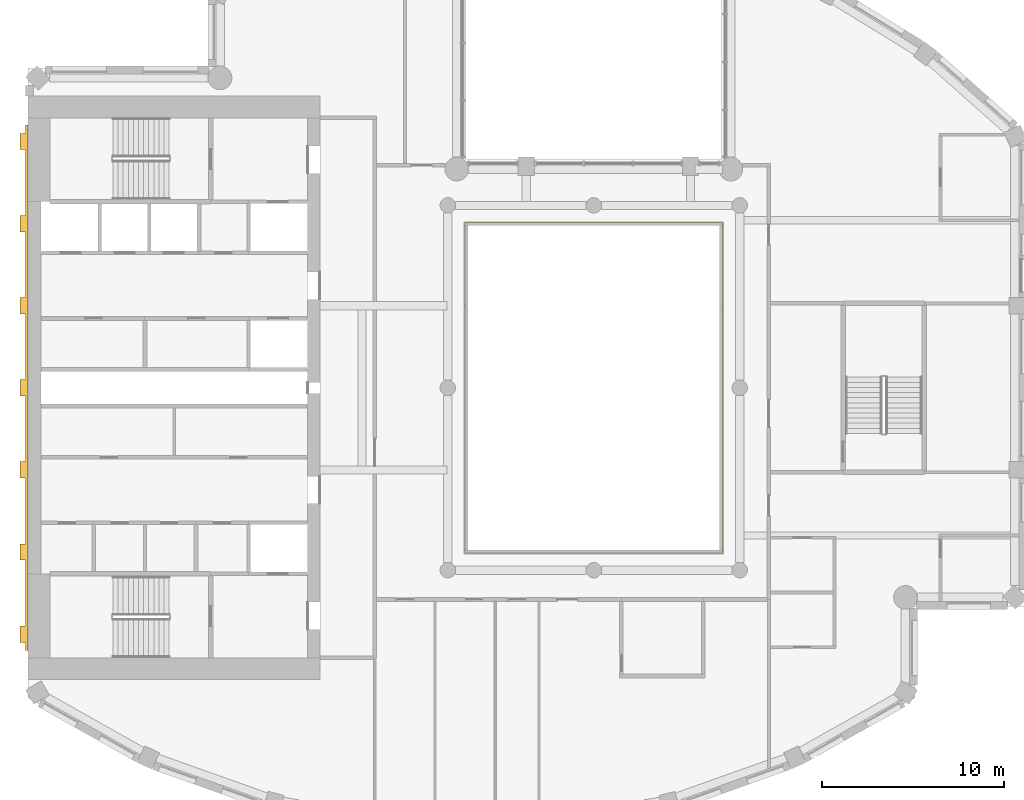
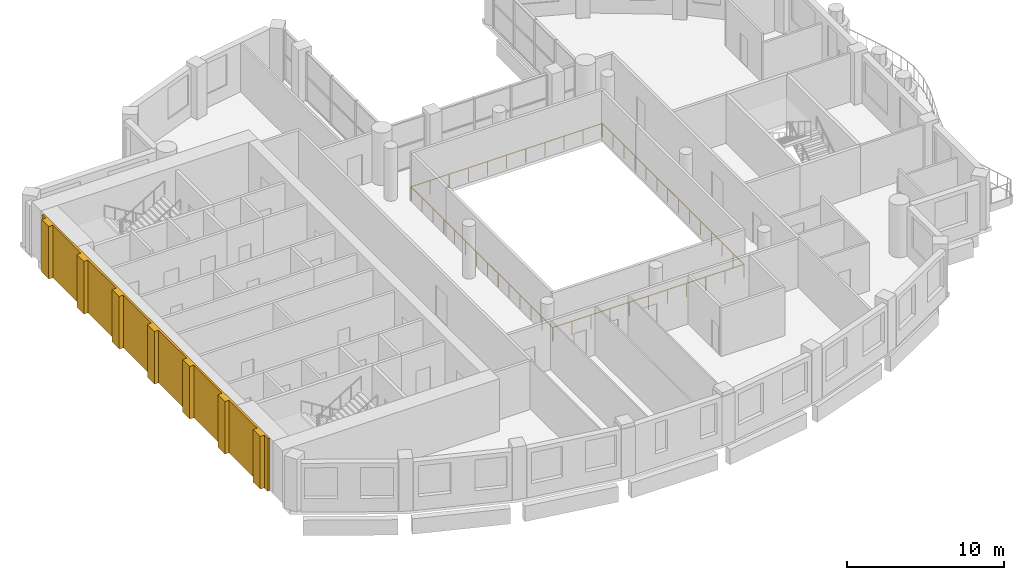
# One storey, part 11 of 14: 1 covering, 1 railing.
"""IFC4 building model written with IfcOpenShell, lengths in metres."""

import ifcopenshell
import ifcopenshell.guid

model = None  # the IFC model being written
_history = None  # IfcOwnerHistory: only IFC2X3 demands one
_inside = {}  # id of a spatial element -> (the spatial element, [elements in it])
_under = {}  # id of a project, library or spatial element -> (it, [spatial elements below it])
_declared = {}  # id of a project -> (the project, [libraries it declares])
_typed = {}  # id of a type object -> (the type object, [elements of that type])
_made_of = {}  # id of a material, layer set ... -> (it, [elements and type objects made of it])


def new_model(schema):
    """Start an empty IFC model of exactly this schema.

    Asked for "IFC4X3", IfcOpenShell would pick the latest addendum, in which some entities
    have other attributes; the version numbers below select the first issue.
    IFC2X3 requires an IfcOwnerHistory on every rooted entity: one is made here for all.
    """
    global model, _history
    if schema == "IFC4X3":
        model = ifcopenshell.file(schema_version=(4, 3, 0, 0))
    else:
        model = ifcopenshell.file(schema=schema)
    _inside.clear()
    _under.clear()
    _declared.clear()
    _typed.clear()
    _made_of.clear()
    _history = None
    if model.schema == "IFC2X3":
        org = make("IfcOrganization", Name="unknown")
        user = make(
            "IfcPersonAndOrganization",
            ThePerson=make("IfcPerson", FamilyName="unknown"),
            TheOrganization=org,
        )
        app = make(
            "IfcApplication",
            ApplicationDeveloper=org,
            Version="unknown",
            ApplicationFullName="unknown",
            ApplicationIdentifier="unknown",
        )
        _history = make(
            "IfcOwnerHistory",
            OwningUser=user,
            OwningApplication=app,
            ChangeAction="ADDED",
            CreationDate=0,
        )
    return model


def make(cls, **values):
    """One entity of the class cls with the attributes given. An attribute that is None is left unset."""
    return model.create_entity(
        cls, **{name: value for name, value in values.items() if value is not None}
    )


def rooted(cls, **values):
    """An entity with a GlobalId (a new one), such as an element, a storey or a relation."""
    return make(cls, GlobalId=ifcopenshell.guid.new(), OwnerHistory=_history, **values)


def si_unit(unit_type, name, prefix=None):
    """IfcSIUnit, for example si_unit("LENGTHUNIT", "METRE", prefix="MILLI")."""
    return make("IfcSIUnit", UnitType=unit_type, Prefix=prefix, Name=name)


def assignment(units):
    """IfcUnitAssignment: the units of a project."""
    return None if units is None else make("IfcUnitAssignment", Units=units)


def point(xyz):
    """IfcCartesianPoint."""
    return None if xyz is None else make("IfcCartesianPoint", Coordinates=xyz)


def direction(xyz):
    """IfcDirection."""
    return None if xyz is None else make("IfcDirection", DirectionRatios=xyz)


def frame(location, z_axis=None, x_axis=None):
    """IfcAxis2Placement3D, a coordinate frame: its origin and axes. An axis left out is left unset."""
    return make(
        "IfcAxis2Placement3D",
        Location=point(location),
        Axis=direction(z_axis),
        RefDirection=direction(x_axis),
    )


def frame_2d(location, x_axis=None):
    """IfcAxis2Placement2D, a coordinate frame in the plane: its origin and x axis."""
    return make(
        "IfcAxis2Placement2D", Location=point(location), RefDirection=direction(x_axis)
    )


def origin():
    """The frame at (0, 0, 0) with its axes left unset."""
    return frame((0.0, 0.0, 0.0))


def origin_2d():
    """The frame at (0, 0) in the plane with its x axis left unset."""
    return frame_2d((0.0, 0.0))


def place(relative_to, where):
    """IfcLocalPlacement: puts the frame where relative to a parent placement (None: the world)."""
    return make(
        "IfcLocalPlacement", PlacementRelTo=relative_to, RelativePlacement=where
    )


def context(
    kind, dimensions, precision=None, world=None, true_north=None, identifier=None
):
    """IfcGeometricRepresentationContext, for example the 3D "Model" context."""
    return make(
        "IfcGeometricRepresentationContext",
        ContextIdentifier=identifier,
        ContextType=kind,
        CoordinateSpaceDimension=dimensions,
        Precision=precision,
        WorldCoordinateSystem=world,
        TrueNorth=true_north,
    )


def subcontext(parent, identifier, kind, view, scale=None):
    """IfcGeometricRepresentationSubContext, for example "Body" below "Model"."""
    return make(
        "IfcGeometricRepresentationSubContext",
        ContextIdentifier=identifier,
        ContextType=kind,
        ParentContext=parent,
        TargetScale=scale,
        TargetView=view,
    )


def project(units=None, contexts=None):
    """IfcProject with its units and contexts."""
    return rooted(
        "IfcProject",
        Name="project",
        RepresentationContexts=contexts,
        UnitsInContext=assignment(units),
    )


def spatial(cls, under=None, at=None, **own):
    """A site, building, storey or space (cls), placed at a placement, below another one or the project."""
    s = rooted(cls, ObjectPlacement=at, **own)
    if under is not None:
        _under.setdefault(under.id(), (under, []))[1].append(s)
    return s


def polyline(points):
    """IfcPolyline through the points."""
    return make("IfcPolyline", Points=[point(p) for p in points])


def profile(cls, at=None, kind="AREA", **sizes):
    """A parametric profile (cls). Its sizes go by their IFC names, for example OverallWidth=200.0."""
    return make(cls, ProfileType=kind, Position=at, **sizes)


def rectangle(**sizes):
    """IfcRectangleProfileDef."""
    return profile("IfcRectangleProfileDef", **sizes)


def outline(outer, holes=None, kind="AREA"):
    """IfcArbitraryClosedProfileDef: a profile drawn as a closed curve; with holes, ...WithVoids."""
    if holes is None:
        return make("IfcArbitraryClosedProfileDef", ProfileType=kind, OuterCurve=outer)
    return make(
        "IfcArbitraryProfileDefWithVoids",
        ProfileType=kind,
        OuterCurve=outer,
        InnerCurves=holes,
    )


def extrude(swept, where, along, depth):
    """IfcExtrudedAreaSolid: the profile swept, set in the frame where, extruded along a direction by depth."""
    return make(
        "IfcExtrudedAreaSolid",
        SweptArea=swept,
        Position=where,
        ExtrudedDirection=direction(along),
        Depth=depth,
    )


def shape(context_of_items, identifier, shape_type, items):
    """IfcShapeRepresentation: the items that make up one representation, for example the "Body"."""
    return make(
        "IfcShapeRepresentation",
        ContextOfItems=context_of_items,
        RepresentationIdentifier=identifier,
        RepresentationType=shape_type,
        Items=items,
    )


def material(Name=None, Category=None):
    """IfcMaterial."""
    return make("IfcMaterial", Name=Name, Category=Category)


def layer(
    of_material, thickness, ventilated=None, Name=None, Category=None, Priority=None
):
    """IfcMaterialLayer: one layer of a wall or slab, of a material (None: an air gap)."""
    return make(
        "IfcMaterialLayer",
        Material=of_material,
        LayerThickness=thickness,
        IsVentilated=ventilated,
        Name=Name,
        Category=Category,
        Priority=Priority,
    )


def layer_set(layers, Name=None):
    """IfcMaterialLayerSet."""
    return make("IfcMaterialLayerSet", MaterialLayers=layers, LayerSetName=Name)


def made_of(thing, what):
    """Note that an element or type object is made of a material, layer set ...; save() writes the relation."""
    if what is not None:
        _made_of.setdefault(what.id(), (what, []))[1].append(thing)
    return thing


def type_object(cls, material=None, **own):
    """A type object (cls), such as IfcWallType, which elements share."""
    return made_of(rooted(cls, **own), material)


def element(
    cls,
    number,
    at=None,
    inside=None,
    cuts=None,
    type_object=None,
    material=None,
    context=None,
    identifier="Body",
    shape_type=None,
    held_by="IfcProductDefinitionShape",
    body=None,
    shapes=None,
    **own,
):
    """One element of the class cls, such as IfcWall. Its Tag is "e" and its number.

    at: its placement. inside: the storey or other place that contains it. cuts: it is an
    opening in that element (IfcRelVoidsElement). A single representation is given by context,
    identifier, shape_type and body (its items); several are given by shapes. held_by: the class
    of the entity that holds the representations. save() writes the other relations.
    """
    e = rooted(cls, Tag="e%d" % number, ObjectPlacement=at, **own)
    if body is not None:
        shapes = [shape(context, identifier, shape_type, body)]
    if shapes is not None:
        e.Representation = make(held_by, Representations=shapes)
    if inside is not None:
        _inside.setdefault(inside.id(), (inside, []))[1].append(e)
    if cuts is not None:
        rooted(
            "IfcRelVoidsElement", RelatingBuildingElement=cuts, RelatedOpeningElement=e
        )
    if type_object is not None:
        _typed.setdefault(type_object.id(), (type_object, []))[1].append(e)
    return made_of(e, material)


def aggregate(whole, parts):
    """IfcRelAggregates: a whole, such as a stair, and the parts it consists of."""
    return rooted("IfcRelAggregates", RelatingObject=whole, RelatedObjects=parts)


def save(model, path):
    """Write the relations noted so far, then the file.

    IfcRelAggregates (storeys below a building ...), IfcRelContainedInSpatialStructure (elements
    in a storey), IfcRelDefinesByType, IfcRelAssociatesMaterial and IfcRelDeclares: one each for
    every whole, place, type object, material and project.
    """
    for whole, parts in _under.values():
        aggregate(whole, parts)
    for where, things in _inside.values():
        rooted(
            "IfcRelContainedInSpatialStructure",
            RelatedElements=things,
            RelatingStructure=where,
        )
    for kind, things in _typed.values():
        rooted("IfcRelDefinesByType", RelatedObjects=things, RelatingType=kind)
    for what, things in _made_of.values():
        rooted("IfcRelAssociatesMaterial", RelatedObjects=things, RelatingMaterial=what)
    for by, libraries in _declared.values():
        rooted("IfcRelDeclares", RelatingContext=by, RelatedDefinitions=libraries)
    model.write(path)


model = new_model("IFC4")

# Units and contexts
model_context = context("Model", 3, precision=1e-05, world=origin(), true_north=direction((0.0, 1.0)))
body_context = subcontext(model_context, "Body", "Model", "MODEL_VIEW")
ifc_project = project(units=[si_unit("LENGTHUNIT", "METRE"), si_unit("AREAUNIT", "SQUARE_METRE"), si_unit("VOLUMEUNIT", "CUBIC_METRE"), si_unit("PLANEANGLEUNIT", "RADIAN"), si_unit("MASSUNIT", "GRAM", prefix="KILO")], contexts=[model_context])

# Site, building, storey
site_placement = place(None, origin())
site = spatial("IfcSite", under=ifc_project, at=site_placement, CompositionType="ELEMENT")
building_placement = place(site_placement, origin())
building = spatial("IfcBuilding", under=site, at=building_placement, Name="Cypress Arch Tower", CompositionType="ELEMENT")
storey_placement = place(building_placement, frame((0.0, 0.0, 300.800048828125)))
storey = spatial("IfcBuildingStorey", under=building, at=storey_placement, Name="L68", CompositionType="ELEMENT", Elevation=300.800048828125)

# Railing
ifc_material_1 = material(Name="Stainless steel posts and handrail, laminated glass infill", Category="steel")
railing_type = type_object("IfcRailingType", Name="Atrium guard GR1100A", PredefinedType="GUARDRAIL", material=ifc_material_1)
railing_placement = place(storey_placement, frame((8.050048828125, -9.050048828125, 0.0)))
element("IfcRailing", 1, at=railing_placement, inside=storey, type_object=railing_type, Name="Atrium guard L68", PredefinedType="GUARDRAIL", context=body_context, shape_type="SweptSolid", body=[
    extrude(rectangle(XDim=0.050048828125, YDim=0.050048828125, at=origin_2d()), frame((0.0, 0.0, 1.0751953125), z_axis=(-1.0, 0.0, 0.0), x_axis=(0.0, -1.0, 0.0)), (0.0, 0.0, 1.0), 14.10009765625),
    extrude(rectangle(XDim=0.050048828125, YDim=0.050048828125, at=origin_2d()), frame((-14.10009765625, 0.0, 1.0751953125), z_axis=(0.0, 1.0, 0.0), x_axis=(-1.0, 0.0, 0.0)), (0.0, 0.0, 1.0), 18.10009765625),
    extrude(rectangle(XDim=0.050048828125, YDim=0.050048828125, at=origin_2d()), frame((-14.10009765625, 18.10009765625, 1.0751953125), z_axis=(1.0, 0.0, 0.0), x_axis=(0.0, 1.0, 0.0)), (0.0, 0.0, 1.0), 14.10009765625),
    extrude(rectangle(XDim=0.050048828125, YDim=0.050048828125, at=origin_2d()), frame((0.0, 18.10009765625, 1.0751953125), z_axis=(0.0, -1.0, 0.0), x_axis=(1.0, 0.0, 0.0)), (0.0, 0.0, 1.0), 18.10009765625),
    extrude(rectangle(XDim=0.050048828125, YDim=0.050048828125, at=origin_2d()), origin(), (0.0, 0.0, 1.0), 1.050048828125),
    extrude(rectangle(XDim=0.050048828125, YDim=0.050048828125, at=origin_2d()), frame((-1.409912109375, 0.0, 0.0)), (0.0, 0.0, 1.0), 1.050048828125),
    extrude(rectangle(XDim=0.050048828125, YDim=0.050048828125, at=origin_2d()), frame((-2.820068359375, 0.0, 0.0)), (0.0, 0.0, 1.0), 1.050048828125),
    extrude(rectangle(XDim=0.050048828125, YDim=0.050048828125, at=origin_2d()), frame((-4.22998046875, 0.0, 0.0)), (0.0, 0.0, 1.0), 1.050048828125),
    extrude(rectangle(XDim=0.050048828125, YDim=0.050048828125, at=origin_2d()), frame((-5.64013671875, 0.0, 0.0)), (0.0, 0.0, 1.0), 1.050048828125),
    extrude(rectangle(XDim=0.050048828125, YDim=0.050048828125, at=origin_2d()), frame((-7.050048828125, 0.0, 0.0)), (0.0, 0.0, 1.0), 1.050048828125),
    extrude(rectangle(XDim=0.050048828125, YDim=0.050048828125, at=origin_2d()), frame((-8.4599609375, 0.0, 0.0)), (0.0, 0.0, 1.0), 1.050048828125),
    extrude(rectangle(XDim=0.050048828125, YDim=0.050048828125, at=origin_2d()), frame((-9.8701171875, 0.0, 0.0)), (0.0, 0.0, 1.0), 1.050048828125),
    extrude(rectangle(XDim=0.050048828125, YDim=0.050048828125, at=origin_2d()), frame((-11.280029296875, 0.0, 0.0)), (0.0, 0.0, 1.0), 1.050048828125),
    extrude(rectangle(XDim=0.050048828125, YDim=0.050048828125, at=origin_2d()), frame((-12.690185546875, 0.0, 0.0)), (0.0, 0.0, 1.0), 1.050048828125),
    extrude(rectangle(XDim=0.050048828125, YDim=0.050048828125, at=origin_2d()), frame((-14.10009765625, 0.0, 0.0)), (0.0, 0.0, 1.0), 1.050048828125),
    extrude(rectangle(XDim=0.050048828125, YDim=0.050048828125, at=origin_2d()), frame((-14.10009765625, 1.392333984375, 0.0)), (0.0, 0.0, 1.0), 1.050048828125),
    extrude(rectangle(XDim=0.050048828125, YDim=0.050048828125, at=origin_2d()), frame((-14.10009765625, 2.78466796875, 0.0)), (0.0, 0.0, 1.0), 1.050048828125),
    extrude(rectangle(XDim=0.050048828125, YDim=0.050048828125, at=origin_2d()), frame((-14.10009765625, 4.177001953125, 0.0)), (0.0, 0.0, 1.0), 1.050048828125),
    extrude(rectangle(XDim=0.050048828125, YDim=0.050048828125, at=origin_2d()), frame((-14.10009765625, 5.5693359375, 0.0)), (0.0, 0.0, 1.0), 1.050048828125),
    extrude(rectangle(XDim=0.050048828125, YDim=0.050048828125, at=origin_2d()), frame((-14.10009765625, 6.961669921875, 0.0)), (0.0, 0.0, 1.0), 1.050048828125),
    extrude(rectangle(XDim=0.050048828125, YDim=0.050048828125, at=origin_2d()), frame((-14.10009765625, 8.35400390625, 0.0)), (0.0, 0.0, 1.0), 1.050048828125),
    extrude(rectangle(XDim=0.050048828125, YDim=0.050048828125, at=origin_2d()), frame((-14.10009765625, 9.74609375, 0.0)), (0.0, 0.0, 1.0), 1.050048828125),
    extrude(rectangle(XDim=0.050048828125, YDim=0.050048828125, at=origin_2d()), frame((-14.10009765625, 11.138427734375, 0.0)), (0.0, 0.0, 1.0), 1.050048828125),
    extrude(rectangle(XDim=0.050048828125, YDim=0.050048828125, at=origin_2d()), frame((-14.10009765625, 12.53076171875, 0.0)), (0.0, 0.0, 1.0), 1.050048828125),
    extrude(rectangle(XDim=0.050048828125, YDim=0.050048828125, at=origin_2d()), frame((-14.10009765625, 13.923095703125, 0.0)), (0.0, 0.0, 1.0), 1.050048828125),
    extrude(rectangle(XDim=0.050048828125, YDim=0.050048828125, at=origin_2d()), frame((-14.10009765625, 15.3154296875, 0.0)), (0.0, 0.0, 1.0), 1.050048828125),
    extrude(rectangle(XDim=0.050048828125, YDim=0.050048828125, at=origin_2d()), frame((-14.10009765625, 16.707763671875, 0.0)), (0.0, 0.0, 1.0), 1.050048828125),
    extrude(rectangle(XDim=0.050048828125, YDim=0.050048828125, at=origin_2d()), frame((-14.10009765625, 18.10009765625, 0.0)), (0.0, 0.0, 1.0), 1.050048828125),
    extrude(rectangle(XDim=0.050048828125, YDim=0.050048828125, at=origin_2d()), frame((-12.690185546875, 18.10009765625, 0.0)), (0.0, 0.0, 1.0), 1.050048828125),
    extrude(rectangle(XDim=0.050048828125, YDim=0.050048828125, at=origin_2d()), frame((-11.280029296875, 18.10009765625, 0.0)), (0.0, 0.0, 1.0), 1.050048828125),
    extrude(rectangle(XDim=0.050048828125, YDim=0.050048828125, at=origin_2d()), frame((-9.8701171875, 18.10009765625, 0.0)), (0.0, 0.0, 1.0), 1.050048828125),
    extrude(rectangle(XDim=0.050048828125, YDim=0.050048828125, at=origin_2d()), frame((-8.4599609375, 18.10009765625, 0.0)), (0.0, 0.0, 1.0), 1.050048828125),
    extrude(rectangle(XDim=0.050048828125, YDim=0.050048828125, at=origin_2d()), frame((-7.050048828125, 18.10009765625, 0.0)), (0.0, 0.0, 1.0), 1.050048828125),
    extrude(rectangle(XDim=0.050048828125, YDim=0.050048828125, at=origin_2d()), frame((-5.64013671875, 18.10009765625, 0.0)), (0.0, 0.0, 1.0), 1.050048828125),
    extrude(rectangle(XDim=0.050048828125, YDim=0.050048828125, at=origin_2d()), frame((-4.22998046875, 18.10009765625, 0.0)), (0.0, 0.0, 1.0), 1.050048828125),
    extrude(rectangle(XDim=0.050048828125, YDim=0.050048828125, at=origin_2d()), frame((-2.820068359375, 18.10009765625, 0.0)), (0.0, 0.0, 1.0), 1.050048828125),
    extrude(rectangle(XDim=0.050048828125, YDim=0.050048828125, at=origin_2d()), frame((-1.409912109375, 18.10009765625, 0.0)), (0.0, 0.0, 1.0), 1.050048828125),
    extrude(rectangle(XDim=0.050048828125, YDim=0.050048828125, at=origin_2d()), frame((0.0, 18.10009765625, 0.0)), (0.0, 0.0, 1.0), 1.050048828125),
    extrude(rectangle(XDim=0.050048828125, YDim=0.050048828125, at=origin_2d()), frame((0.0, 16.707763671875, 0.0)), (0.0, 0.0, 1.0), 1.050048828125),
    extrude(rectangle(XDim=0.050048828125, YDim=0.050048828125, at=origin_2d()), frame((0.0, 15.3154296875, 0.0)), (0.0, 0.0, 1.0), 1.050048828125),
    extrude(rectangle(XDim=0.050048828125, YDim=0.050048828125, at=origin_2d()), frame((0.0, 13.923095703125, 0.0)), (0.0, 0.0, 1.0), 1.050048828125),
    extrude(rectangle(XDim=0.050048828125, YDim=0.050048828125, at=origin_2d()), frame((0.0, 12.53076171875, 0.0)), (0.0, 0.0, 1.0), 1.050048828125),
    extrude(rectangle(XDim=0.050048828125, YDim=0.050048828125, at=origin_2d()), frame((0.0, 11.138427734375, 0.0)), (0.0, 0.0, 1.0), 1.050048828125),
    extrude(rectangle(XDim=0.050048828125, YDim=0.050048828125, at=origin_2d()), frame((0.0, 9.74609375, 0.0)), (0.0, 0.0, 1.0), 1.050048828125),
    extrude(rectangle(XDim=0.050048828125, YDim=0.050048828125, at=origin_2d()), frame((0.0, 8.35400390625, 0.0)), (0.0, 0.0, 1.0), 1.050048828125),
    extrude(rectangle(XDim=0.050048828125, YDim=0.050048828125, at=origin_2d()), frame((0.0, 6.961669921875, 0.0)), (0.0, 0.0, 1.0), 1.050048828125),
    extrude(rectangle(XDim=0.050048828125, YDim=0.050048828125, at=origin_2d()), frame((0.0, 5.5693359375, 0.0)), (0.0, 0.0, 1.0), 1.050048828125),
    extrude(rectangle(XDim=0.050048828125, YDim=0.050048828125, at=origin_2d()), frame((0.0, 4.177001953125, 0.0)), (0.0, 0.0, 1.0), 1.050048828125),
    extrude(rectangle(XDim=0.050048828125, YDim=0.050048828125, at=origin_2d()), frame((0.0, 2.78466796875, 0.0)), (0.0, 0.0, 1.0), 1.050048828125),
    extrude(rectangle(XDim=0.050048828125, YDim=0.050048828125, at=origin_2d()), frame((0.0, 1.392333984375, 0.0)), (0.0, 0.0, 1.0), 1.050048828125),
])

# Covering
ifc_material_2 = material(Name="Brick (red buff blend)", Category="masonry")
ifc_layer = layer(ifc_material_2, 0.449951171875)
ifc_layer_set = layer_set([ifc_layer], Name="West face brick piers WP450")
covering_type = type_object("IfcCoveringType", Name="West face brick piers WP450", PredefinedType="CLADDING", material=ifc_layer_set)
covering_placement = place(storey_placement, origin())
element("IfcCovering", 2, at=covering_placement, inside=storey, type_object=covering_type, Name="West face brick piers L68", PredefinedType="CLADDING", context=body_context, shape_type="SweptSolid", body=[
    extrude(outline(polyline([(-30.14990234375, -13.050048828125), (-30.14990234375, -9.449951171875), (-30.449951171875, -9.449951171875), (-30.449951171875, -8.550048828125), (-30.14990234375, -8.550048828125), (-30.14990234375, -4.949951171875), (-30.449951171875, -4.949951171875), (-30.449951171875, -4.050048828125), (-30.14990234375, -4.050048828125), (-30.14990234375, -0.449951171875), (-30.449951171875, -0.449951171875), (-30.449951171875, 0.449951171875), (-30.14990234375, 0.449951171875), (-30.14990234375, 4.050048828125), (-30.449951171875, 4.050048828125), (-30.449951171875, 4.949951171875), (-30.14990234375, 4.949951171875), (-30.14990234375, 8.550048828125), (-30.449951171875, 8.550048828125), (-30.449951171875, 9.449951171875), (-30.14990234375, 9.449951171875), (-30.14990234375, 13.050048828125), (-30.449951171875, 13.050048828125), (-30.449951171875, 13.949951171875), (-30.14990234375, 13.949951171875), (-30.14990234375, 14.39990234375), (-30.0, 14.39990234375), (-30.0, -14.39990234375), (-30.14990234375, -14.39990234375), (-30.14990234375, -13.949951171875), (-30.449951171875, -13.949951171875), (-30.449951171875, -13.050048828125), (-30.14990234375, -13.050048828125)])), origin(), (0.0, 0.0, 1.0), 4.099853515625),
])

save(model, "model.ifc")
